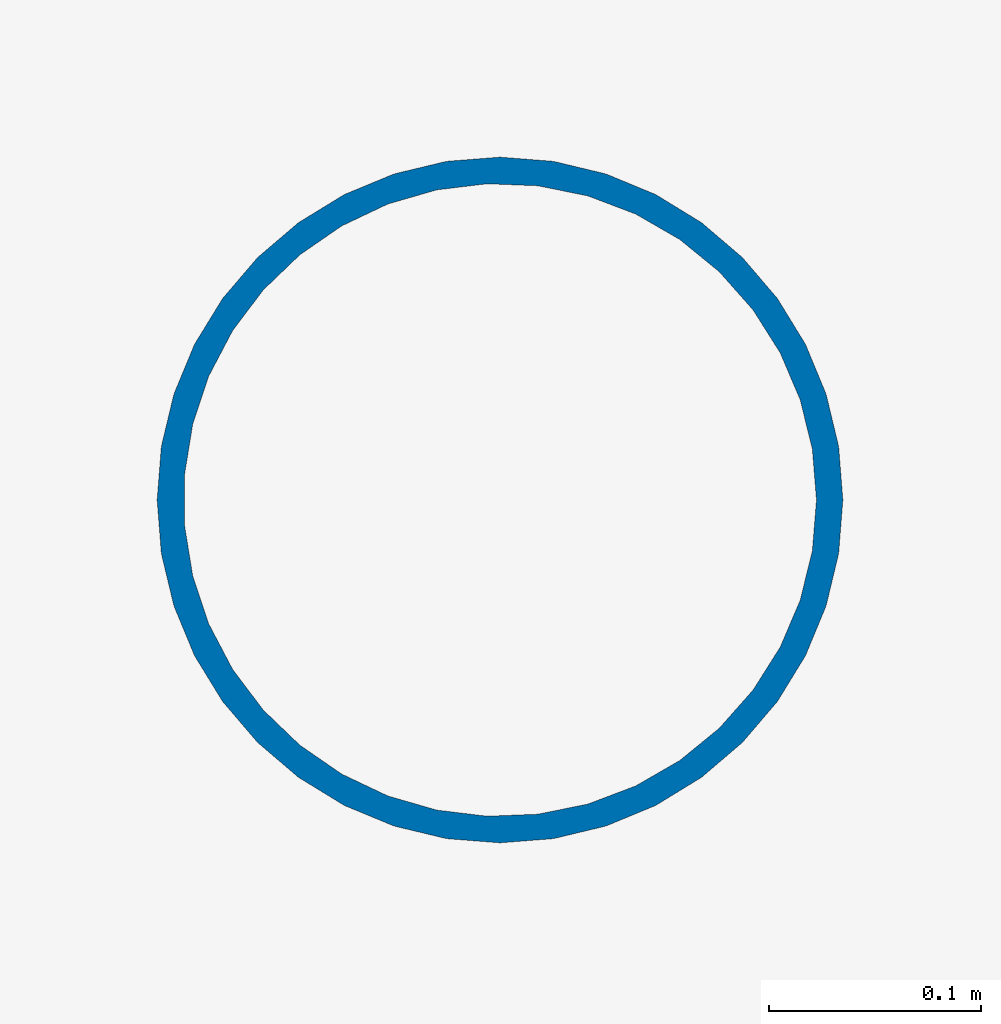
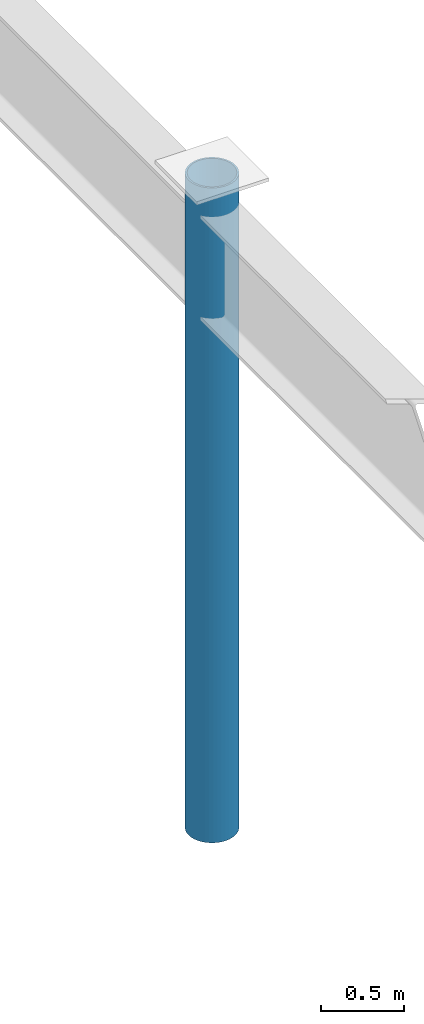
# One storey, part 10 of 116: 1 column.
"""IFC4 building model written with IfcOpenShell, lengths in metres."""

from ifc_helpers import new_model, si_unit, direction, frame, origin, origin_2d, place, context, subcontext, project, spatial, hollow_circle, extrude, material, material_profile, profile_set, type_object, element, save


model = new_model("IFC4")

# Units and contexts
model_context = context("Model", 3, precision=1e-05, world=origin(), true_north=direction((0.0, 1.0)))
body_context = subcontext(model_context, "Body", "Model", "MODEL_VIEW")
ifc_project = project(units=[si_unit("LENGTHUNIT", "METRE"), si_unit("AREAUNIT", "SQUARE_METRE"), si_unit("VOLUMEUNIT", "CUBIC_METRE"), si_unit("PLANEANGLEUNIT", "RADIAN"), si_unit("MASSUNIT", "GRAM", prefix="KILO")], contexts=[model_context])

# Site, building, storey
site_placement = place(None, origin())
site = spatial("IfcSite", under=ifc_project, at=site_placement, CompositionType="ELEMENT")
building_placement = place(site_placement, origin())
building = spatial("IfcBuilding", under=site, at=building_placement, Name="Selat Folded Stagehouse", CompositionType="ELEMENT")
storey_placement = place(building_placement, frame((0.0, 0.0, 5.39990234375)))
storey = spatial("IfcBuildingStorey", under=building, at=storey_placement, Name="L01", CompositionType="ELEMENT", Elevation=5.39990234375)

# Column
ifc_material = material(Name="Steel S355", Category="steel")
ifc_material_profile = material_profile(ifc_material, hollow_circle(Radius=0.161865234375, WallThickness=0.012451171875, at=origin_2d()), Name="CHS 323.9x12.5")
ifc_profile_set = profile_set([ifc_material_profile], Name="Steel S355")
column_type = type_object("IfcColumnType", Name="COL-CHS-323x12.5", PredefinedType="COLUMN", material=ifc_profile_set)
column_placement = place(storey_placement, frame((98.699951171875, 62.39990234375, 0.0), z_axis=(0.0, 0.0, 1.0), x_axis=(1.0, 0.0, 0.0)))
element("IfcColumn", 1, at=column_placement, inside=storey, type_object=column_type, Name="L01 column STK-BR2-624", PredefinedType="COLUMN", context=body_context, shape_type="SweptSolid", body=[
    extrude(hollow_circle(Radius=0.161865234375, WallThickness=0.012451171875, at=origin_2d()), origin(), (0.0, 0.0, 1.0), 4.800048828125),
])

save(model, "model.ifc")
